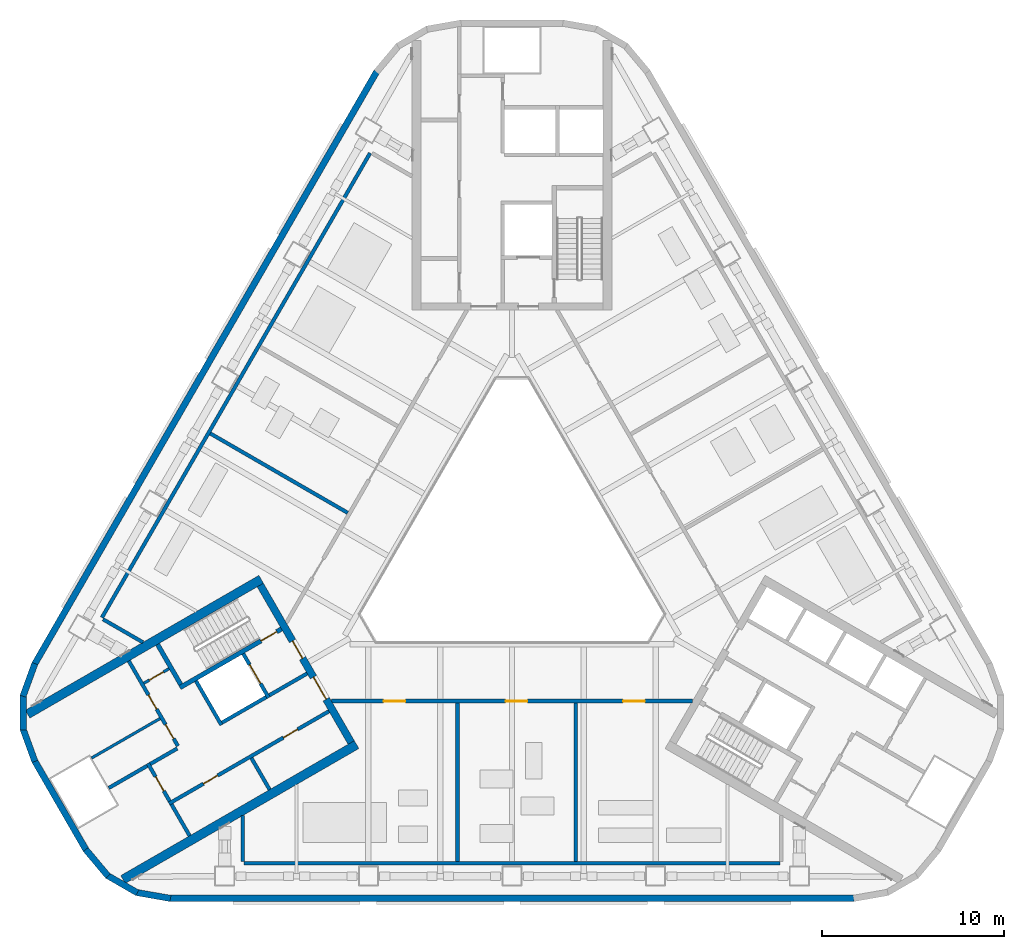
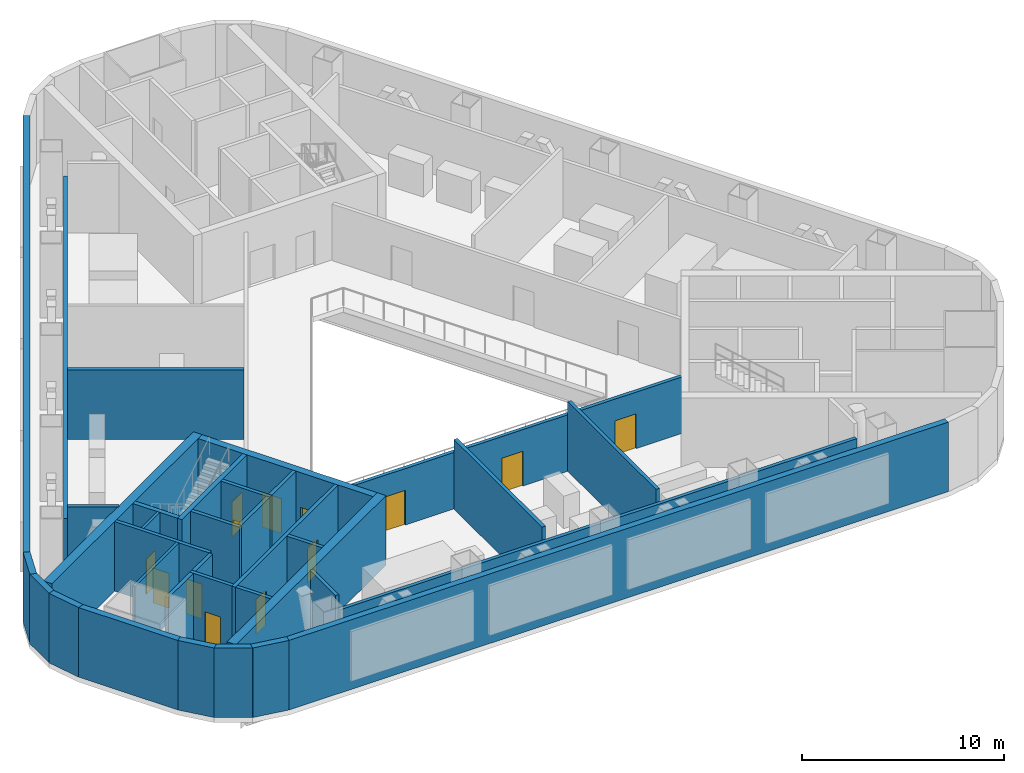
# One storey, part 7 of 15: 35 walls, 13 doors, 13 openings.
"""IFC4 building model written with IfcOpenShell, lengths in metres."""

import ifcopenshell
import ifcopenshell.guid

model = None  # the IFC model being written
_history = None  # IfcOwnerHistory: only IFC2X3 demands one
_inside = {}  # id of a spatial element -> (the spatial element, [elements in it])
_under = {}  # id of a project, library or spatial element -> (it, [spatial elements below it])
_declared = {}  # id of a project -> (the project, [libraries it declares])
_typed = {}  # id of a type object -> (the type object, [elements of that type])
_made_of = {}  # id of a material, layer set ... -> (it, [elements and type objects made of it])


def new_model(schema):
    """Start an empty IFC model of exactly this schema.

    Asked for "IFC4X3", IfcOpenShell would pick the latest addendum, in which some entities
    have other attributes; the version numbers below select the first issue.
    IFC2X3 requires an IfcOwnerHistory on every rooted entity: one is made here for all.
    """
    global model, _history
    if schema == "IFC4X3":
        model = ifcopenshell.file(schema_version=(4, 3, 0, 0))
    else:
        model = ifcopenshell.file(schema=schema)
    _inside.clear()
    _under.clear()
    _declared.clear()
    _typed.clear()
    _made_of.clear()
    _history = None
    if model.schema == "IFC2X3":
        org = make("IfcOrganization", Name="unknown")
        user = make(
            "IfcPersonAndOrganization",
            ThePerson=make("IfcPerson", FamilyName="unknown"),
            TheOrganization=org,
        )
        app = make(
            "IfcApplication",
            ApplicationDeveloper=org,
            Version="unknown",
            ApplicationFullName="unknown",
            ApplicationIdentifier="unknown",
        )
        _history = make(
            "IfcOwnerHistory",
            OwningUser=user,
            OwningApplication=app,
            ChangeAction="ADDED",
            CreationDate=0,
        )
    return model


def make(cls, **values):
    """One entity of the class cls with the attributes given. An attribute that is None is left unset."""
    return model.create_entity(
        cls, **{name: value for name, value in values.items() if value is not None}
    )


def rooted(cls, **values):
    """An entity with a GlobalId (a new one), such as an element, a storey or a relation."""
    return make(cls, GlobalId=ifcopenshell.guid.new(), OwnerHistory=_history, **values)


def si_unit(unit_type, name, prefix=None):
    """IfcSIUnit, for example si_unit("LENGTHUNIT", "METRE", prefix="MILLI")."""
    return make("IfcSIUnit", UnitType=unit_type, Prefix=prefix, Name=name)


def assignment(units):
    """IfcUnitAssignment: the units of a project."""
    return None if units is None else make("IfcUnitAssignment", Units=units)


def point(xyz):
    """IfcCartesianPoint."""
    return None if xyz is None else make("IfcCartesianPoint", Coordinates=xyz)


def direction(xyz):
    """IfcDirection."""
    return None if xyz is None else make("IfcDirection", DirectionRatios=xyz)


def frame(location, z_axis=None, x_axis=None):
    """IfcAxis2Placement3D, a coordinate frame: its origin and axes. An axis left out is left unset."""
    return make(
        "IfcAxis2Placement3D",
        Location=point(location),
        Axis=direction(z_axis),
        RefDirection=direction(x_axis),
    )


def frame_2d(location, x_axis=None):
    """IfcAxis2Placement2D, a coordinate frame in the plane: its origin and x axis."""
    return make(
        "IfcAxis2Placement2D", Location=point(location), RefDirection=direction(x_axis)
    )


def origin():
    """The frame at (0, 0, 0) with its axes left unset."""
    return frame((0.0, 0.0, 0.0))


def place(relative_to, where):
    """IfcLocalPlacement: puts the frame where relative to a parent placement (None: the world)."""
    return make(
        "IfcLocalPlacement", PlacementRelTo=relative_to, RelativePlacement=where
    )


def context(
    kind, dimensions, precision=None, world=None, true_north=None, identifier=None
):
    """IfcGeometricRepresentationContext, for example the 3D "Model" context."""
    return make(
        "IfcGeometricRepresentationContext",
        ContextIdentifier=identifier,
        ContextType=kind,
        CoordinateSpaceDimension=dimensions,
        Precision=precision,
        WorldCoordinateSystem=world,
        TrueNorth=true_north,
    )


def subcontext(parent, identifier, kind, view, scale=None):
    """IfcGeometricRepresentationSubContext, for example "Body" below "Model"."""
    return make(
        "IfcGeometricRepresentationSubContext",
        ContextIdentifier=identifier,
        ContextType=kind,
        ParentContext=parent,
        TargetScale=scale,
        TargetView=view,
    )


def project(units=None, contexts=None):
    """IfcProject with its units and contexts."""
    return rooted(
        "IfcProject",
        Name="project",
        RepresentationContexts=contexts,
        UnitsInContext=assignment(units),
    )


def spatial(cls, under=None, at=None, **own):
    """A site, building, storey or space (cls), placed at a placement, below another one or the project."""
    s = rooted(cls, ObjectPlacement=at, **own)
    if under is not None:
        _under.setdefault(under.id(), (under, []))[1].append(s)
    return s


def profile(cls, at=None, kind="AREA", **sizes):
    """A parametric profile (cls). Its sizes go by their IFC names, for example OverallWidth=200.0."""
    return make(cls, ProfileType=kind, Position=at, **sizes)


def rectangle(**sizes):
    """IfcRectangleProfileDef."""
    return profile("IfcRectangleProfileDef", **sizes)


def extrude(swept, where, along, depth):
    """IfcExtrudedAreaSolid: the profile swept, set in the frame where, extruded along a direction by depth."""
    return make(
        "IfcExtrudedAreaSolid",
        SweptArea=swept,
        Position=where,
        ExtrudedDirection=direction(along),
        Depth=depth,
    )


def shape(context_of_items, identifier, shape_type, items):
    """IfcShapeRepresentation: the items that make up one representation, for example the "Body"."""
    return make(
        "IfcShapeRepresentation",
        ContextOfItems=context_of_items,
        RepresentationIdentifier=identifier,
        RepresentationType=shape_type,
        Items=items,
    )


def material(Name=None, Category=None):
    """IfcMaterial."""
    return make("IfcMaterial", Name=Name, Category=Category)


def layer(
    of_material, thickness, ventilated=None, Name=None, Category=None, Priority=None
):
    """IfcMaterialLayer: one layer of a wall or slab, of a material (None: an air gap)."""
    return make(
        "IfcMaterialLayer",
        Material=of_material,
        LayerThickness=thickness,
        IsVentilated=ventilated,
        Name=Name,
        Category=Category,
        Priority=Priority,
    )


def layer_set(layers, Name=None):
    """IfcMaterialLayerSet."""
    return make("IfcMaterialLayerSet", MaterialLayers=layers, LayerSetName=Name)


def made_of(thing, what):
    """Note that an element or type object is made of a material, layer set ...; save() writes the relation."""
    if what is not None:
        _made_of.setdefault(what.id(), (what, []))[1].append(thing)
    return thing


def type_object(cls, material=None, **own):
    """A type object (cls), such as IfcWallType, which elements share."""
    return made_of(rooted(cls, **own), material)


def element(
    cls,
    number,
    at=None,
    inside=None,
    cuts=None,
    type_object=None,
    material=None,
    context=None,
    identifier="Body",
    shape_type=None,
    held_by="IfcProductDefinitionShape",
    body=None,
    shapes=None,
    **own,
):
    """One element of the class cls, such as IfcWall. Its Tag is "e" and its number.

    at: its placement. inside: the storey or other place that contains it. cuts: it is an
    opening in that element (IfcRelVoidsElement). A single representation is given by context,
    identifier, shape_type and body (its items); several are given by shapes. held_by: the class
    of the entity that holds the representations. save() writes the other relations.
    """
    e = rooted(cls, Tag="e%d" % number, ObjectPlacement=at, **own)
    if body is not None:
        shapes = [shape(context, identifier, shape_type, body)]
    if shapes is not None:
        e.Representation = make(held_by, Representations=shapes)
    if inside is not None:
        _inside.setdefault(inside.id(), (inside, []))[1].append(e)
    if cuts is not None:
        rooted(
            "IfcRelVoidsElement", RelatingBuildingElement=cuts, RelatedOpeningElement=e
        )
    if type_object is not None:
        _typed.setdefault(type_object.id(), (type_object, []))[1].append(e)
    return made_of(e, material)


def fill(opening, filler):
    """IfcRelFillsElement: the door or window that sits in an opening."""
    return rooted(
        "IfcRelFillsElement",
        RelatingOpeningElement=opening,
        RelatedBuildingElement=filler,
    )


def aggregate(whole, parts):
    """IfcRelAggregates: a whole, such as a stair, and the parts it consists of."""
    return rooted("IfcRelAggregates", RelatingObject=whole, RelatedObjects=parts)


def save(model, path):
    """Write the relations noted so far, then the file.

    IfcRelAggregates (storeys below a building ...), IfcRelContainedInSpatialStructure (elements
    in a storey), IfcRelDefinesByType, IfcRelAssociatesMaterial and IfcRelDeclares: one each for
    every whole, place, type object, material and project.
    """
    for whole, parts in _under.values():
        aggregate(whole, parts)
    for where, things in _inside.values():
        rooted(
            "IfcRelContainedInSpatialStructure",
            RelatedElements=things,
            RelatingStructure=where,
        )
    for kind, things in _typed.values():
        rooted("IfcRelDefinesByType", RelatedObjects=things, RelatingType=kind)
    for what, things in _made_of.values():
        rooted("IfcRelAssociatesMaterial", RelatedObjects=things, RelatingMaterial=what)
    for by, libraries in _declared.values():
        rooted("IfcRelDeclares", RelatingContext=by, RelatedDefinitions=libraries)
    model.write(path)


model = new_model("IFC4")

# Units and contexts
model_context = context("Model", 3, precision=1e-05, world=origin(), true_north=direction((0.0, 1.0)))
body_context = subcontext(model_context, "Body", "Model", "MODEL_VIEW")
ifc_project = project(units=[si_unit("LENGTHUNIT", "METRE"), si_unit("AREAUNIT", "SQUARE_METRE"), si_unit("VOLUMEUNIT", "CUBIC_METRE"), si_unit("PLANEANGLEUNIT", "RADIAN"), si_unit("MASSUNIT", "GRAM", prefix="KILO")], contexts=[model_context])

# Site, building, storey
site_placement = place(None, origin())
site = spatial("IfcSite", under=ifc_project, at=site_placement, CompositionType="ELEMENT")
building_placement = place(site_placement, origin())
building = spatial("IfcBuilding", under=site, at=building_placement, Name="Apuvela Tower Hotel", CompositionType="ELEMENT")
storey_placement = place(building_placement, frame((0.0, 0.0, 37.5)))
storey = spatial("IfcBuildingStorey", under=building, at=storey_placement, Name="L06 Plant", CompositionType="ELEMENT", Elevation=37.5)

# Wall, openings, doors
ifc_material_1 = material(Name="Concrete C50/60", Category="concrete")
ifc_layer_1 = layer(ifc_material_1, 0.39990234375)
ifc_layer_set_1 = layer_set([ifc_layer_1], Name="COR-WALL-CORE-400")
wall_type_1 = type_object("IfcWallType", Name="COR-WALL-CORE-400", PredefinedType="SHEAR", material=ifc_layer_set_1)
wall_1_placement = place(storey_placement, frame((-13.844970703125, -2.219970703125, 0.0), z_axis=(0.0, 0.0, 1.0), x_axis=(0.500004234368, -0.866022959057, 0.0)))
wall_1 = element("IfcWall", 1, at=wall_1_placement, inside=storey, type_object=wall_type_1, Name="Core wall SW", PredefinedType="SHEAR", context=body_context, shape_type="SweptSolid", body=[
    extrude(rectangle(XDim=10.0, YDim=0.39990234375, at=frame_2d((5.0, 0.0))), origin(), (0.0, 0.0, 1.0), 4.199951171875),
])
opening_1_placement = place(wall_1_placement, frame((3.550048828125, 0.0, 0.0)))
opening_1 = element("IfcOpeningElement", 2, at=opening_1_placement, cuts=wall_1, Name="Opening W-FD", PredefinedType="OPENING", context=body_context, shape_type="SweptSolid", body=[
    extrude(rectangle(XDim=1.10009765625, YDim=2.10009765625, at=frame_2d((0.550048828125, 1.050048828125))), frame((0.0, 0.2099609375, 0.0), z_axis=(0.0, -1.0, 0.0), x_axis=(1.0, 0.0, 0.0)), (0.0, 0.0, 1.0), 0.419921875),
])
opening_2_placement = place(wall_1_placement, frame((5.85009765625, 0.0, 0.0)))
opening_2 = element("IfcOpeningElement", 3, at=opening_2_placement, cuts=wall_1, Name="Opening W-GD", PredefinedType="OPENING", context=body_context, shape_type="SweptSolid", body=[
    extrude(rectangle(XDim=1.39990234375, YDim=2.10009765625, at=frame_2d((0.699951171875, 1.050048828125))), frame((0.0, 0.2099609375, 0.0), z_axis=(0.0, -1.0, 0.0), x_axis=(1.0, 0.0, 0.0)), (0.0, 0.0, 1.0), 0.419921875),
])
ifc_material_2 = material(Name="Steel fire door, powder coated", Category="steel")
door_type_1 = type_object("IfcDoorType", Name="COR-FD-1100", OperationType="NOTDEFINED", PredefinedType="DOOR", material=ifc_material_2)
door_1_placement = place(opening_1_placement, frame((1.10009765625, 0.0, 0.0), z_axis=(0.0, 0.0, 1.0), x_axis=(-1.0, 0.0, 0.0)))
door_1 = element("IfcDoor", 4, at=door_1_placement, inside=storey, type_object=door_type_1, Name="Firefighting lobby door W-FD", OperationType="SINGLE_SWING_LEFT", OverallHeight=2.10009765625, OverallWidth=1.10009765625, PredefinedType="DOOR", context=body_context, shape_type="SweptSolid", body=[
    extrude(rectangle(XDim=1.10009765625, YDim=2.10009765625, at=frame_2d((0.550048828125, 1.050048828125))), frame((0.0, 0.02490234375, 0.0), z_axis=(0.0, -1.0, 0.0), x_axis=(1.0, 0.0, 0.0)), (0.0, 0.0, 1.0), 0.050048828125),
])
fill(opening_1, door_1)
ifc_material_3 = material(Name="Glazed steel fire door", Category="steel")
door_type_2 = type_object("IfcDoorType", Name="COR-GD-1400", OperationType="DOUBLE_DOOR_SINGLE_SWING", PredefinedType="DOOR", material=ifc_material_3)
door_2_placement = place(opening_2_placement, frame((1.39990234375, 0.0, 0.0), z_axis=(0.0, 0.0, 1.0), x_axis=(-1.0, 0.0, 0.0)))
door_2 = element("IfcDoor", 5, at=door_2_placement, inside=storey, type_object=door_type_2, Name="Lift lobby door W-GD", OperationType="DOUBLE_DOOR_SINGLE_SWING", OverallHeight=2.10009765625, OverallWidth=1.39990234375, PredefinedType="DOOR", context=body_context, shape_type="SweptSolid", body=[
    extrude(rectangle(XDim=1.39990234375, YDim=2.10009765625, at=frame_2d((0.699951171875, 1.050048828125))), frame((0.0, 0.02490234375, 0.0), z_axis=(0.0, -1.0, 0.0), x_axis=(1.0, 0.0, 0.0)), (0.0, 0.0, 1.0), 0.050048828125),
])
fill(opening_2, door_2)

# Walls
ifc_layer_2 = layer(ifc_material_1, 0.5)
ifc_layer_set_2 = layer_set([ifc_layer_2], Name="COR-WALL-CORE-500")
wall_type_2 = type_object("IfcWallType", Name="COR-WALL-CORE-500", PredefinedType="SHEAR", material=ifc_layer_set_2)
for number, where, z_axis, x_axis, name in (
    (6, (-13.796630859375, -1.9033203125, 0.0), (0.0, 0.0, 1.0), (-0.866025009528, -0.500000682871, 0.0), "Core wall SW"),
    (7, (-8.546630859375, -10.99658203125, 0.0), (0.0, 0.0, 1.0), (-0.866025009528, -0.500000682871, 0.0), "Core wall SW"),
):
    element("IfcWall", number, at=place(storey_placement, frame(where, z_axis=z_axis, x_axis=x_axis)), inside=storey, type_object=wall_type_2, Name=name, PredefinedType="SHEAR", context=body_context, shape_type="SweptSolid", body=[
        extrude(rectangle(XDim=14.8369140625, YDim=0.5, at=frame_2d((7.41845703125, 0.0))), origin(), (0.0, 0.0, 1.0), 4.199951171875),
    ])

# Wall, opening, door
ifc_material_4 = material(Name="Blockwork 150 mm plastered", Category="masonry")
ifc_layer_3 = layer(ifc_material_4, 0.14990234375)
ifc_layer_set_3 = layer_set([ifc_layer_3], Name="COR-WALL-PART-150")
wall_type_3 = type_object("IfcWallType", Name="COR-WALL-PART-150", PredefinedType="PARTITIONING", material=ifc_layer_set_3)
wall_2_placement = place(storey_placement, frame((-18.866455078125, -6.822265625, 0.0), z_axis=(0.0, 0.0, 1.0), x_axis=(-0.866028054938, -0.499995408039, 0.0)))
wall_2 = element("IfcWall", 8, at=wall_2_placement, inside=storey, type_object=wall_type_3, Name="Partition SW", PredefinedType="PARTITIONING", context=body_context, shape_type="SweptSolid", body=[
    extrude(rectangle(XDim=1.60009765625, YDim=0.14990234375, at=frame_2d((0.800048828125, 0.0))), origin(), (0.0, 0.0, 1.0), 4.199951171875),
])
opening_3_placement = place(wall_2_placement, frame((0.35009765625, 0.0, 0.0)))
opening_3 = element("IfcOpeningElement", 9, at=opening_3_placement, cuts=wall_2, Name="Opening W-RD", PredefinedType="OPENING", context=body_context, shape_type="SweptSolid", body=[
    extrude(rectangle(XDim=0.89990234375, YDim=2.10009765625, at=frame_2d((0.449951171875, 1.050048828125))), frame((0.0, 0.0849609375, 0.0), z_axis=(0.0, -1.0, 0.0), x_axis=(1.0, 0.0, 0.0)), (0.0, 0.0, 1.0), 0.169921875),
])
ifc_material_5 = material(Name="Steel access door, powder coated", Category="steel")
door_type_3 = type_object("IfcDoorType", Name="COR-RD-900", OperationType="NOTDEFINED", PredefinedType="DOOR", material=ifc_material_5)
door_3_placement = place(opening_3_placement, frame((0.89990234375, 0.0, 0.0), z_axis=(0.0, 0.0, 1.0), x_axis=(-1.0, 0.0, 0.0)))
door_3 = element("IfcDoor", 10, at=door_3_placement, inside=storey, type_object=door_type_3, Name="Riser door W-RD", OperationType="SINGLE_SWING_RIGHT", OverallHeight=2.10009765625, OverallWidth=0.89990234375, PredefinedType="DOOR", context=body_context, shape_type="SweptSolid", body=[
    extrude(rectangle(XDim=0.89990234375, YDim=2.10009765625, at=frame_2d((0.449951171875, 1.050048828125))), frame((0.0, 0.02490234375, 0.0), z_axis=(0.0, -1.0, 0.0), x_axis=(1.0, 0.0, 0.0)), (0.0, 0.0, 1.0), 0.050048828125),
])
fill(opening_3, door_3)

# Wall
wall_3_placement = place(storey_placement, frame((-19.36279296875, -9.5625, 0.0), z_axis=(0.0, 0.0, 1.0), x_axis=(-0.866027639635, -0.499996127374, 0.0)))
element("IfcWall", 11, at=wall_3_placement, inside=storey, type_object=wall_type_3, Name="Partition SW", PredefinedType="PARTITIONING", context=body_context, shape_type="SweptSolid", body=[
    extrude(rectangle(XDim=4.35009765625, YDim=0.14990234375, at=frame_2d((2.175048828125, 0.0))), origin(), (0.0, 0.0, 1.0), 4.199951171875),
])

# Wall, openings, doors
ifc_material_6 = material(Name="Blockwork 200 mm plastered", Category="masonry")
ifc_layer_4 = layer(ifc_material_6, 0.199951171875)
ifc_layer_set_4 = layer_set([ifc_layer_4], Name="COR-WALL-PART-200")
wall_type_4 = type_object("IfcWallType", Name="COR-WALL-PART-200", PredefinedType="PARTITIONING", material=ifc_layer_set_4)
wall_4_placement = place(storey_placement, frame((-21.076171875, -6.39501953125, 0.0), z_axis=(0.0, 0.0, 1.0), x_axis=(0.50001468107, -0.866016927499, 0.0)))
wall_4 = element("IfcWall", 12, at=wall_4_placement, inside=storey, type_object=wall_type_4, Name="Partition SW", PredefinedType="PARTITIONING", context=body_context, shape_type="SweptSolid", body=[
    extrude(rectangle(XDim=5.399658203125, YDim=0.199951171875, at=frame_2d((2.69970703125, 0.0))), origin(), (0.0, 0.0, 1.0), 4.199951171875),
])
opening_4_placement = place(wall_4_placement, frame((2.16259765625, 0.0, 0.0)))
opening_4 = element("IfcOpeningElement", 13, at=opening_4_placement, cuts=wall_4, Name="Opening W-RS1", PredefinedType="OPENING", context=body_context, shape_type="SweptSolid", body=[
    extrude(rectangle(XDim=0.89990234375, YDim=2.10009765625, at=frame_2d((0.449951171875, 1.050048828125))), frame((0.0, 0.10986328125, 0.0), z_axis=(0.0, -1.0, 0.0), x_axis=(1.0, 0.0, 0.0)), (0.0, 0.0, 1.0), 0.219970703125),
])
opening_5_placement = place(wall_4_placement, frame((4.03759765625, 0.0, 0.0)))
opening_5 = element("IfcOpeningElement", 14, at=opening_5_placement, cuts=wall_4, Name="Opening W-RS2", PredefinedType="OPENING", context=body_context, shape_type="SweptSolid", body=[
    extrude(rectangle(XDim=0.89990234375, YDim=2.10009765625, at=frame_2d((0.449951171875, 1.050048828125))), frame((0.0, 0.10986328125, 0.0), z_axis=(0.0, -1.0, 0.0), x_axis=(1.0, 0.0, 0.0)), (0.0, 0.0, 1.0), 0.219970703125),
])
door_type_4 = type_object("IfcDoorType", Name="COR-DR-900", OperationType="NOTDEFINED", PredefinedType="DOOR", material=ifc_material_2)
door_4_placement = place(opening_4_placement, frame((0.89990234375, 0.0, 0.0), z_axis=(0.0, 0.0, 1.0), x_axis=(-1.0, 0.0, 0.0)))
door_4 = element("IfcDoor", 15, at=door_4_placement, inside=storey, type_object=door_type_4, Name="Store door W-RS1", OperationType="SINGLE_SWING_LEFT", OverallHeight=2.10009765625, OverallWidth=0.89990234375, PredefinedType="DOOR", context=body_context, shape_type="SweptSolid", body=[
    extrude(rectangle(XDim=0.89990234375, YDim=2.10009765625, at=frame_2d((0.449951171875, 1.050048828125))), frame((0.0, 0.02490234375, 0.0), z_axis=(0.0, -1.0, 0.0), x_axis=(1.0, 0.0, 0.0)), (0.0, 0.0, 1.0), 0.050048828125),
])
fill(opening_4, door_4)
door_5_placement = place(opening_5_placement, frame((0.89990234375, 0.0, 0.0), z_axis=(0.0, 0.0, 1.0), x_axis=(-1.0, 0.0, 0.0)))
door_5 = element("IfcDoor", 16, at=door_5_placement, inside=storey, type_object=door_type_4, Name="Store door W-RS2", OperationType="SINGLE_SWING_LEFT", OverallHeight=2.10009765625, OverallWidth=0.89990234375, PredefinedType="DOOR", context=body_context, shape_type="SweptSolid", body=[
    extrude(rectangle(XDim=0.89990234375, YDim=2.10009765625, at=frame_2d((0.449951171875, 1.050048828125))), frame((0.0, 0.02490234375, 0.0), z_axis=(0.0, -1.0, 0.0), x_axis=(1.0, 0.0, 0.0)), (0.0, 0.0, 1.0), 0.050048828125),
])
fill(opening_5, door_5)

# Wall
ifc_layer_5 = layer(ifc_material_1, 0.199951171875)
ifc_layer_set_5 = layer_set([ifc_layer_5], Name="COR-WALL-SHAFT-200")
wall_type_5 = type_object("IfcWallType", Name="COR-WALL-SHAFT-200", PredefinedType="SHEAR", material=ifc_layer_set_5)
wall_5_placement = place(storey_placement, frame((-17.38134765625, -7.49462890625, 0.0), z_axis=(0.0, 0.0, 1.0), x_axis=(0.500011755427, -0.866018616679, 0.0)))
element("IfcWall", 17, at=wall_5_placement, inside=storey, type_object=wall_type_5, Name="Shaft wall SW", PredefinedType="SHEAR", context=body_context, shape_type="SweptSolid", body=[
    extrude(rectangle(XDim=2.80029296875, YDim=0.199951171875, at=frame_2d((1.400146484375, 0.0))), origin(), (0.0, 0.0, 1.0), 4.199951171875),
])

# Wall, opening, door
wall_6_placement = place(storey_placement, frame((-14.783203125, -5.99462890625, 0.0), z_axis=(0.0, 0.0, 1.0), x_axis=(0.49994636267, -0.866056369097, 0.0)))
wall_6 = element("IfcWall", 18, at=wall_6_placement, inside=storey, type_object=wall_type_5, Name="Shaft wall SW", PredefinedType="SHEAR", context=body_context, shape_type="SweptSolid", body=[
    extrude(rectangle(XDim=2.800048828125, YDim=0.199951171875, at=frame_2d((1.39990234375, 0.0))), origin(), (0.0, 0.0, 1.0), 4.199951171875),
])
opening_6_placement = place(wall_6_placement, frame((0.699951171875, 0.0, 0.0)))
opening_6 = element("IfcOpeningElement", 19, at=opening_6_placement, cuts=wall_6, Name="Opening W-LD-FS2", PredefinedType="OPENING", context=body_context, shape_type="SweptSolid", body=[
    extrude(rectangle(XDim=1.199951171875, YDim=2.10009765625, at=frame_2d((0.60009765625, 1.050048828125))), frame((0.0, 0.10986328125, 0.0), z_axis=(0.0, -1.0, 0.0), x_axis=(1.0, 0.0, 0.0)), (0.0, 0.0, 1.0), 0.219970703125),
])
ifc_material_7 = material(Name="Stainless steel lift landing door", Category="steel")
door_type_5 = type_object("IfcDoorType", Name="COR-LD-1200", OperationType="DOUBLE_DOOR_SLIDING", PredefinedType="DOOR", material=ifc_material_7)
door_6_placement = place(opening_6_placement, origin())
door_6 = element("IfcDoor", 20, at=door_6_placement, inside=storey, type_object=door_type_5, Name="Lift landing door W-LD-FS2", OperationType="DOUBLE_DOOR_SLIDING", OverallHeight=2.10009765625, OverallWidth=1.199951171875, PredefinedType="DOOR", context=body_context, shape_type="SweptSolid", body=[
    extrude(rectangle(XDim=1.199951171875, YDim=2.10009765625, at=frame_2d((0.60009765625, 1.050048828125))), frame((0.0, 0.02490234375, 0.0), z_axis=(0.0, -1.0, 0.0), x_axis=(1.0, 0.0, 0.0)), (0.0, 0.0, 1.0), 0.050048828125),
])
fill(opening_6, door_6)

# Walls
wall_7_placement = place(storey_placement, frame((-13.519775390625, -8.383056640625, 0.0), z_axis=(0.0, 0.0, 1.0), x_axis=(-0.866034573852, -0.49998411664, 0.0)))
element("IfcWall", 21, at=wall_7_placement, inside=storey, type_object=wall_type_5, Name="Shaft wall SW", PredefinedType="SHEAR", context=body_context, shape_type="SweptSolid", body=[
    extrude(rectangle(XDim=2.7998046875, YDim=0.199951171875, at=frame_2d((1.39990234375, 0.0))), origin(), (0.0, 0.0, 1.0), 4.199951171875),
])
wall_8_placement = place(storey_placement, frame((-11.26806640625, -7.0830078125, 0.0), z_axis=(0.0, 0.0, 1.0), x_axis=(-0.866050077142, -0.499957262057, 0.0)))
element("IfcWall", 22, at=wall_8_placement, inside=storey, type_object=wall_type_5, Name="Shaft wall SW", PredefinedType="SHEAR", context=body_context, shape_type="SweptSolid", body=[
    extrude(rectangle(XDim=2.400146484375, YDim=0.199951171875, at=frame_2d((1.2001953125, 0.0))), origin(), (0.0, 0.0, 1.0), 4.199951171875),
])

# Wall, openings, doors
wall_9_placement = place(storey_placement, frame((-10.068115234375, -9.16162109375, 0.0), z_axis=(0.0, 0.0, 1.0), x_axis=(-0.866032725843, -0.499987317609, 0.0)))
wall_9 = element("IfcWall", 23, at=wall_9_placement, inside=storey, type_object=wall_type_5, Name="Shaft wall SW", PredefinedType="SHEAR", context=body_context, shape_type="SweptSolid", body=[
    extrude(rectangle(XDim=10.159912109375, YDim=0.199951171875, at=frame_2d((5.080078125, 0.0))), origin(), (0.0, 0.0, 1.0), 4.199951171875),
])
opening_7_placement = place(wall_9_placement, frame((1.989990234375, 0.0, 0.0)))
opening_7 = element("IfcOpeningElement", 24, at=opening_7_placement, cuts=wall_9, Name="Opening W-RE1", PredefinedType="OPENING", context=body_context, shape_type="SweptSolid", body=[
    extrude(rectangle(XDim=0.89990234375, YDim=2.10009765625, at=frame_2d((0.449951171875, 1.050048828125))), frame((0.0, 0.10986328125, 0.0), z_axis=(0.0, -1.0, 0.0), x_axis=(1.0, 0.0, 0.0)), (0.0, 0.0, 1.0), 0.219970703125),
])
opening_8_placement = place(wall_9_placement, frame((7.070068359375, 0.0, 0.0)))
opening_8 = element("IfcOpeningElement", 25, at=opening_8_placement, cuts=wall_9, Name="Opening W-RE3", PredefinedType="OPENING", context=body_context, shape_type="SweptSolid", body=[
    extrude(rectangle(XDim=0.89990234375, YDim=2.10009765625, at=frame_2d((0.449951171875, 1.050048828125))), frame((0.0, 0.10986328125, 0.0), z_axis=(0.0, -1.0, 0.0), x_axis=(1.0, 0.0, 0.0)), (0.0, 0.0, 1.0), 0.219970703125),
])
door_7_placement = place(opening_7_placement, origin())
door_7 = element("IfcDoor", 26, at=door_7_placement, inside=storey, type_object=door_type_4, Name="Store door W-RE1", OperationType="SINGLE_SWING_LEFT", OverallHeight=2.10009765625, OverallWidth=0.89990234375, PredefinedType="DOOR", context=body_context, shape_type="SweptSolid", body=[
    extrude(rectangle(XDim=0.89990234375, YDim=2.10009765625, at=frame_2d((0.449951171875, 1.050048828125))), frame((0.0, 0.02490234375, 0.0), z_axis=(0.0, -1.0, 0.0), x_axis=(1.0, 0.0, 0.0)), (0.0, 0.0, 1.0), 0.050048828125),
])
fill(opening_7, door_7)
door_8_placement = place(opening_8_placement, origin())
door_8 = element("IfcDoor", 27, at=door_8_placement, inside=storey, type_object=door_type_4, Name="Store door W-RE3", OperationType="SINGLE_SWING_LEFT", OverallHeight=2.10009765625, OverallWidth=0.89990234375, PredefinedType="DOOR", context=body_context, shape_type="SweptSolid", body=[
    extrude(rectangle(XDim=0.89990234375, YDim=2.10009765625, at=frame_2d((0.449951171875, 1.050048828125))), frame((0.0, 0.02490234375, 0.0), z_axis=(0.0, -1.0, 0.0), x_axis=(1.0, 0.0, 0.0)), (0.0, 0.0, 1.0), 0.050048828125),
])
fill(opening_8, door_8)

# Wall, opening, door
wall_10_placement = place(storey_placement, frame((-20.030517578125, -12.0263671875, 0.0), z_axis=(0.0, 0.0, 1.0), x_axis=(0.500033551112, -0.866006032174, 0.0)))
wall_10 = element("IfcWall", 28, at=wall_10_placement, inside=storey, type_object=wall_type_5, Name="Shaft wall SW", PredefinedType="SHEAR", context=body_context, shape_type="SweptSolid", body=[
    extrude(rectangle(XDim=2.400146484375, YDim=0.199951171875, at=frame_2d((1.2001953125, 0.0))), origin(), (0.0, 0.0, 1.0), 4.199951171875),
])
opening_9_placement = place(wall_10_placement, frame((0.85009765625, 0.0, 0.0)))
opening_9 = element("IfcOpeningElement", 29, at=opening_9_placement, cuts=wall_10, Name="Opening W-REP", PredefinedType="OPENING", context=body_context, shape_type="SweptSolid", body=[
    extrude(rectangle(XDim=0.89990234375, YDim=2.10009765625, at=frame_2d((0.449951171875, 1.050048828125))), frame((0.0, 0.10986328125, 0.0), z_axis=(0.0, -1.0, 0.0), x_axis=(1.0, 0.0, 0.0)), (0.0, 0.0, 1.0), 0.219970703125),
])
door_9_placement = place(opening_9_placement, frame((0.89990234375, 0.0, 0.0), z_axis=(0.0, 0.0, 1.0), x_axis=(-1.0, 0.0, 0.0)))
door_9 = element("IfcDoor", 30, at=door_9_placement, inside=storey, type_object=door_type_4, Name="Store door W-REP", OperationType="SINGLE_SWING_LEFT", OverallHeight=2.10009765625, OverallWidth=0.89990234375, PredefinedType="DOOR", context=body_context, shape_type="SweptSolid", body=[
    extrude(rectangle(XDim=0.89990234375, YDim=2.10009765625, at=frame_2d((0.449951171875, 1.050048828125))), frame((0.0, 0.02490234375, 0.0), z_axis=(0.0, -1.0, 0.0), x_axis=(1.0, 0.0, 0.0)), (0.0, 0.0, 1.0), 0.050048828125),
])
fill(opening_9, door_9)

# Walls
wall_11_placement = place(storey_placement, frame((-18.412841796875, -11.2080078125, 0.0), z_axis=(0.0, 0.0, 1.0), x_axis=(-0.866038183914, -0.499977863513, 0.0)))
element("IfcWall", 31, at=wall_11_placement, inside=storey, type_object=wall_type_5, Name="Shaft wall SW", PredefinedType="SHEAR", context=body_context, shape_type="SweptSolid", body=[
    extrude(rectangle(XDim=1.7099609375, YDim=0.199951171875, at=frame_2d((0.85498046875, 0.0))), origin(), (0.0, 0.0, 1.0), 4.199951171875),
])
for number, where, z_axis, x_axis, name in (
    (32, (-14.330810546875, -11.738037109375, 0.0), (0.0, 0.0, 1.0), (0.499972520799, -0.866041268327, 0.0), "Shaft wall SW"),
    (33, (-18.73046875, -14.278076171875, 0.0), (0.0, 0.0, 1.0), (0.50002537861, -0.866010750942, 0.0), "Shaft wall SW"),
):
    element("IfcWall", number, at=place(storey_placement, frame(where, z_axis=z_axis, x_axis=x_axis)), inside=storey, type_object=wall_type_5, Name=name, PredefinedType="SHEAR", context=body_context, shape_type="SweptSolid", body=[
        extrude(rectangle(XDim=2.0, YDim=0.199951171875, at=frame_2d((1.0, 0.0))), origin(), (0.0, 0.0, 1.0), 4.199951171875),
    ])
wall_12_placement = place(storey_placement, frame((-20.06689453125, -12.1630859375, 0.0), z_axis=(0.0, 0.0, 1.0), x_axis=(-0.866048967903, -0.499959183527, 0.0)))
element("IfcWall", 34, at=wall_12_placement, inside=storey, type_object=wall_type_5, Name="Shaft wall SW", PredefinedType="SHEAR", context=body_context, shape_type="SweptSolid", body=[
    extrude(rectangle(XDim=2.440185546875, YDim=0.199951171875, at=frame_2d((1.22021484375, 0.0))), origin(), (0.0, 0.0, 1.0), 4.199951171875),
])

# Wall, opening, door
ifc_layer_6 = layer(ifc_material_1, 0.25)
ifc_layer_set_6 = layer_set([ifc_layer_6], Name="COR-WALL-STAIR-250")
wall_type_6 = type_object("IfcWallType", Name="COR-WALL-STAIR-250", PredefinedType="SHEAR", material=ifc_layer_set_6)
wall_13_placement = place(storey_placement, frame((-12.6806640625, -4.636474609375, 0.0), z_axis=(0.0, 0.0, 1.0), x_axis=(-0.866021702275, -0.500006411147, 0.0)))
wall_13 = element("IfcWall", 35, at=wall_13_placement, inside=storey, type_object=wall_type_6, Name="Stair wall SW", PredefinedType="SHEAR", context=body_context, shape_type="SweptSolid", body=[
    extrude(rectangle(XDim=6.4501953125, YDim=0.25, at=frame_2d((3.22509765625, 0.0))), origin(), (0.0, 0.0, 1.0), 4.199951171875),
])
opening_10_placement = place(wall_13_placement, frame((0.300048828125, 0.0, 0.0)))
opening_10 = element("IfcOpeningElement", 36, at=opening_10_placement, cuts=wall_13, Name="Opening W-SD", PredefinedType="OPENING", context=body_context, shape_type="SweptSolid", body=[
    extrude(rectangle(XDim=1.0, YDim=2.10009765625, at=frame_2d((0.5, 1.050048828125))), frame((0.0, 0.135009765625, 0.0), z_axis=(0.0, -1.0, 0.0), x_axis=(1.0, 0.0, 0.0)), (0.0, 0.0, 1.0), 0.27001953125),
])
door_type_6 = type_object("IfcDoorType", Name="COR-SD-1000", OperationType="NOTDEFINED", PredefinedType="DOOR", material=ifc_material_2)
door_10_placement = place(opening_10_placement, frame((1.0, 0.0, 0.0), z_axis=(0.0, 0.0, 1.0), x_axis=(-1.0, 0.0, 0.0)))
door_10 = element("IfcDoor", 37, at=door_10_placement, inside=storey, type_object=door_type_6, Name="Stair door W-SD", OperationType="SINGLE_SWING_LEFT", OverallHeight=2.10009765625, OverallWidth=1.0, PredefinedType="DOOR", context=body_context, shape_type="SweptSolid", body=[
    extrude(rectangle(XDim=1.0, YDim=2.10009765625, at=frame_2d((0.5, 1.050048828125))), frame((0.0, 0.02490234375, 0.0), z_axis=(0.0, -1.0, 0.0), x_axis=(1.0, 0.0, 0.0)), (0.0, 0.0, 1.0), 0.050048828125),
])
fill(opening_10, door_10)

# Walls
wall_14_placement = place(storey_placement, frame((-19.49560546875, -5.482421875, 0.0), z_axis=(0.0, 0.0, 1.0), x_axis=(0.499990435942, -0.866030925526, 0.0)))
element("IfcWall", 38, at=wall_14_placement, inside=storey, type_object=wall_type_6, Name="Stair wall SW", PredefinedType="SHEAR", context=body_context, shape_type="SweptSolid", body=[
    extrude(rectangle(XDim=2.5498046875, YDim=0.25, at=frame_2d((1.27490234375, 0.0))), origin(), (0.0, 0.0, 1.0), 4.199951171875),
])
ifc_material_8 = material(Name="Concrete C40/50, dark pigmented precast panel", Category="concrete")
ifc_layer_7 = layer(ifc_material_8, 0.35009765625)
ifc_layer_set_7 = layer_set([ifc_layer_7], Name="ENV-WALL-350")
wall_type_7 = type_object("IfcWallType", Name="ENV-WALL-350", PredefinedType="SOLIDWALL", material=ifc_layer_set_7)
wall_15_placement = place(storey_placement, frame((-7.440673828125, 26.0224609375, 0.0), z_axis=(0.0, 0.0, 1.0), x_axis=(-0.499998380999, -0.866026338513, 0.0)))
element("IfcWall", 39, at=wall_15_placement, inside=storey, type_object=wall_type_7, Name="External wall L06 Plant-07", PredefinedType="SOLIDWALL", context=body_context, shape_type="SweptSolid", body=[
    extrude(rectangle(XDim=37.63134765625, YDim=0.35009765625, at=frame_2d((18.815673828125, 0.0))), origin(), (0.0, 0.0, 1.0), 4.199951171875),
])
for number, where, z_axis, x_axis, name in (
    (40, (-26.24365234375, -6.539794921875, 0.0), (0.0, 0.0, 1.0), (-0.342030395486, -0.939688889242, 0.0), "External wall L06 Plant-08"),
    (41, (-26.88623046875, -8.27490234375, 0.0), (0.0, 0.0, 1.0), (0.0, -1.0, 0.0), "External wall L06 Plant-09"),
    (42, (-26.89697265625, -10.125244140625, 0.0), (0.0, 0.0, 1.0), (0.342030395486, -0.939688889242, 0.0), "External wall L06 Plant-10"),
):
    element("IfcWall", number, at=place(storey_placement, frame(where, z_axis=z_axis, x_axis=x_axis)), inside=storey, type_object=wall_type_7, Name=name, PredefinedType="SOLIDWALL", context=body_context, shape_type="SweptSolid", body=[
        extrude(rectangle(XDim=1.91015625, YDim=0.35009765625, at=frame_2d((0.955078125, 0.0))), origin(), (0.0, 0.0, 1.0), 4.199951171875),
    ])
wall_16_placement = place(storey_placement, frame((-26.25634765625, -11.892578125, 0.0), z_axis=(0.0, 0.0, 1.0), x_axis=(0.499986410639, -0.866033249463, 0.0)))
element("IfcWall", 43, at=wall_16_placement, inside=storey, type_object=wall_type_7, Name="External wall L06 Plant-11", PredefinedType="SOLIDWALL", context=body_context, shape_type="SweptSolid", body=[
    extrude(rectangle(XDim=5.657958984375, YDim=0.35009765625, at=frame_2d((2.8291015625, 0.0))), origin(), (0.0, 0.0, 1.0), 4.199951171875),
])
for number, where, z_axis, x_axis, name in (
    (44, (-23.44482421875, -16.767578125, 0.0), (0.0, 0.0, 1.0), (0.642808304945, -0.766027077259, 0.0), "External wall L06 Plant-12"),
    (45, (-22.263671875, -18.191650390625, 0.0), (0.0, 0.0, 1.0), (0.866000389056, -0.500043324278, 0.0), "External wall L06 Plant-13"),
):
    element("IfcWall", number, at=place(storey_placement, frame(where, z_axis=z_axis, x_axis=x_axis)), inside=storey, type_object=wall_type_7, Name=name, PredefinedType="SOLIDWALL", context=body_context, shape_type="SweptSolid", body=[
        extrude(rectangle(XDim=1.909912109375, YDim=0.35009765625, at=frame_2d((0.955078125, 0.0))), origin(), (0.0, 0.0, 1.0), 4.199951171875),
    ])
wall_17_placement = place(storey_placement, frame((-20.66650390625, -19.1259765625, 0.0), z_axis=(0.0, 0.0, 1.0), x_axis=(0.984798995425, -0.173697837091, 0.0)))
element("IfcWall", 46, at=wall_17_placement, inside=storey, type_object=wall_type_7, Name="External wall L06 Plant-14", PredefinedType="SOLIDWALL", context=body_context, shape_type="SweptSolid", body=[
    extrude(rectangle(XDim=1.91015625, YDim=0.35009765625, at=frame_2d((0.955078125, 0.0))), origin(), (0.0, 0.0, 1.0), 4.199951171875),
])
wall_18_placement = place(storey_placement, frame((-18.81591796875, -19.455078125, 0.0), z_axis=(0.0, 0.0, 1.0), x_axis=(1.0, 0.0, 0.0)))
element("IfcWall", 47, at=wall_18_placement, inside=storey, type_object=wall_type_7, Name="External wall L06 Plant-15", PredefinedType="SOLIDWALL", context=body_context, shape_type="SweptSolid", body=[
    extrude(rectangle(XDim=37.6318359375, YDim=0.35009765625, at=frame_2d((18.81591796875, 0.0))), origin(), (0.0, 0.0, 1.0), 4.199951171875),
])
ifc_material_9 = material(Name="Reinforced blockwork B15", Category="masonry")
ifc_layer_8 = layer(ifc_material_9, 0.199951171875)
ifc_layer_set_8 = layer_set([ifc_layer_8], Name="SPC-WALL-PLANT")
wall_type_8 = type_object("IfcWallType", Name="SPC-WALL-PLANT", PredefinedType="PARTITIONING", material=ifc_layer_set_8)
wall_19_placement = place(storey_placement, frame((-14.800048828125, -17.429931640625, 0.0), z_axis=(0.0, 0.0, 1.0), x_axis=(0.0, 1.0, 0.0)))
element("IfcWall", 48, at=wall_19_placement, inside=storey, type_object=wall_type_8, Name="Wall L06-S-P03", PredefinedType="PARTITIONING", context=body_context, shape_type="SweptSolid", body=[
    extrude(rectangle(XDim=2.534423828125, YDim=0.199951171875, at=frame_2d((1.26708984375, 0.0))), origin(), (0.0, 0.0, 1.0), 4.199951171875),
])
for number, where, z_axis, x_axis, name in (
    (49, (-3.0, -17.429931640625, 0.0), (0.0, 0.0, 1.0), (0.0, 1.0, 0.0), "Wall L06-S-P04"),
    (50, (3.5, -17.429931640625, 0.0), (0.0, 0.0, 1.0), (0.0, 1.0, 0.0), "Wall L06-S-P05"),
):
    element("IfcWall", number, at=place(storey_placement, frame(where, z_axis=z_axis, x_axis=x_axis)), inside=storey, type_object=wall_type_8, Name=name, PredefinedType="PARTITIONING", context=body_context, shape_type="SweptSolid", body=[
        extrude(rectangle(XDim=8.72998046875, YDim=0.199951171875, at=frame_2d((4.364990234375, 0.0))), origin(), (0.0, 0.0, 1.0), 4.199951171875),
    ])
wall_20_placement = place(storey_placement, frame((-14.75, -17.530029296875, 0.0), z_axis=(0.0, 0.0, 1.0), x_axis=(1.0, 0.0, 0.0)))
element("IfcWall", 51, at=wall_20_placement, inside=storey, type_object=wall_type_8, Name="Wall L06-S-FUR2", PredefinedType="PARTITIONING", context=body_context, shape_type="SweptSolid", body=[
    extrude(rectangle(XDim=29.5, YDim=0.199951171875, at=frame_2d((14.75, 0.0))), origin(), (0.0, 0.0, 1.0), 3.409912109375),
])

# Wall, openings, doors
wall_21_placement = place(storey_placement, frame((-9.930419921875, -8.60009765625, 0.0), z_axis=(0.0, 0.0, 1.0), x_axis=(1.0, 0.0, 0.0)))
wall_21 = element("IfcWall", 52, at=wall_21_placement, inside=storey, type_object=wall_type_8, Name="Wall L06-S-CW", PredefinedType="PARTITIONING", context=body_context, shape_type="SweptSolid", body=[
    extrude(rectangle(XDim=19.86083984375, YDim=0.199951171875, at=frame_2d((9.930419921875, 0.0))), origin(), (0.0, 0.0, 1.0), 3.409912109375),
])
opening_11_placement = place(wall_21_placement, frame((2.87109375, 0.0, 0.0)))
opening_11 = element("IfcOpeningElement", 53, at=opening_11_placement, cuts=wall_21, Name="Opening L06-S07", PredefinedType="OPENING", context=body_context, shape_type="SweptSolid", body=[
    extrude(rectangle(XDim=1.199951171875, YDim=2.10009765625, at=frame_2d((0.60009765625, 1.050048828125))), frame((0.0, 0.10986328125, 0.0), z_axis=(0.0, -1.0, 0.0), x_axis=(1.0, 0.0, 0.0)), (0.0, 0.0, 1.0), 0.219970703125),
])
opening_12_placement = place(wall_21_placement, frame((9.58056640625, 0.0, 0.0)))
opening_12 = element("IfcOpeningElement", 54, at=opening_12_placement, cuts=wall_21, Name="Opening L06-S08", PredefinedType="OPENING", context=body_context, shape_type="SweptSolid", body=[
    extrude(rectangle(XDim=1.199951171875, YDim=2.10009765625, at=frame_2d((0.60009765625, 1.050048828125))), frame((0.0, 0.10986328125, 0.0), z_axis=(0.0, -1.0, 0.0), x_axis=(1.0, 0.0, 0.0)), (0.0, 0.0, 1.0), 0.219970703125),
])
opening_13_placement = place(wall_21_placement, frame((16.0400390625, 0.0, 0.0)))
opening_13 = element("IfcOpeningElement", 55, at=opening_13_placement, cuts=wall_21, Name="Opening L06-S09", PredefinedType="OPENING", context=body_context, shape_type="SweptSolid", body=[
    extrude(rectangle(XDim=1.199951171875, YDim=2.10009765625, at=frame_2d((0.60009765625, 1.050048828125))), frame((0.0, 0.10986328125, 0.0), z_axis=(0.0, -1.0, 0.0), x_axis=(1.0, 0.0, 0.0)), (0.0, 0.0, 1.0), 0.219970703125),
])
ifc_material_10 = material(Name="Steel fire door leaf", Category="steel")
door_type_7 = type_object("IfcDoorType", Name="SPC-DOOR-1200-PLANT", OperationType="NOTDEFINED", PredefinedType="DOOR", material=ifc_material_10)
door_11_placement = place(opening_11_placement, frame((1.199951171875, 0.0, 0.0), z_axis=(0.0, 0.0, 1.0), x_axis=(-1.0, 0.0, 0.0)))
door_11 = element("IfcDoor", 56, at=door_11_placement, inside=storey, type_object=door_type_7, Name="L06-S07", OperationType="SINGLE_SWING_RIGHT", OverallHeight=2.10009765625, OverallWidth=1.199951171875, PredefinedType="DOOR", context=body_context, shape_type="SweptSolid", body=[
    extrude(rectangle(XDim=1.199951171875, YDim=2.10009765625, at=frame_2d((0.60009765625, 1.050048828125))), frame((0.0, 0.02490234375, 0.0), z_axis=(0.0, -1.0, 0.0), x_axis=(1.0, 0.0, 0.0)), (0.0, 0.0, 1.0), 0.050048828125),
])
fill(opening_11, door_11)
door_12_placement = place(opening_12_placement, frame((1.199951171875, 0.0, 0.0), z_axis=(0.0, 0.0, 1.0), x_axis=(-1.0, 0.0, 0.0)))
door_12 = element("IfcDoor", 57, at=door_12_placement, inside=storey, type_object=door_type_7, Name="L06-S08", OperationType="SINGLE_SWING_LEFT", OverallHeight=2.10009765625, OverallWidth=1.199951171875, PredefinedType="DOOR", context=body_context, shape_type="SweptSolid", body=[
    extrude(rectangle(XDim=1.199951171875, YDim=2.10009765625, at=frame_2d((0.60009765625, 1.050048828125))), frame((0.0, 0.02490234375, 0.0), z_axis=(0.0, -1.0, 0.0), x_axis=(1.0, 0.0, 0.0)), (0.0, 0.0, 1.0), 0.050048828125),
])
fill(opening_12, door_12)
door_13_placement = place(opening_13_placement, frame((1.199951171875, 0.0, 0.0), z_axis=(0.0, 0.0, 1.0), x_axis=(-1.0, 0.0, 0.0)))
door_13 = element("IfcDoor", 58, at=door_13_placement, inside=storey, type_object=door_type_7, Name="L06-S09", OperationType="SINGLE_SWING_RIGHT", OverallHeight=2.10009765625, OverallWidth=1.199951171875, PredefinedType="DOOR", context=body_context, shape_type="SweptSolid", body=[
    extrude(rectangle(XDim=1.199951171875, YDim=2.10009765625, at=frame_2d((0.60009765625, 1.050048828125))), frame((0.0, 0.02490234375, 0.0), z_axis=(0.0, -1.0, 0.0), x_axis=(1.0, 0.0, 0.0)), (0.0, 0.0, 1.0), 0.050048828125),
])
fill(opening_13, door_13)

# Walls
wall_22_placement = place(storey_placement, frame((-16.5947265625, 6.116943359375, 0.0), z_axis=(0.0, 0.0, 1.0), x_axis=(0.866023051915, -0.500004073536, 0.0)))
element("IfcWall", 59, at=wall_22_placement, inside=storey, type_object=wall_type_8, Name="Wall L06-NW-P05", PredefinedType="PARTITIONING", context=body_context, shape_type="SweptSolid", body=[
    extrude(rectangle(XDim=8.72998046875, YDim=0.199951171875, at=frame_2d((4.364990234375, 0.0))), origin(), (0.0, 0.0, 1.0), 4.199951171875),
])
wall_23_placement = place(storey_placement, frame((-22.494873046875, -4.102294921875, 0.0), z_axis=(0.0, 0.0, 1.0), x_axis=(0.866065287345, -0.499930913282, 0.0)))
element("IfcWall", 60, at=wall_23_placement, inside=storey, type_object=wall_type_8, Name="Wall L06-NW-P06", PredefinedType="PARTITIONING", context=body_context, shape_type="SweptSolid", body=[
    extrude(rectangle(XDim=2.534423828125, YDim=0.199951171875, at=frame_2d((1.26708984375, 0.0))), origin(), (0.0, 0.0, 1.0), 4.199951171875),
])
wall_24_placement = place(storey_placement, frame((-7.806396484375, 21.538818359375, 0.0), z_axis=(0.0, 0.0, 1.0), x_axis=(-0.500002084189, -0.866024200474, 0.0)))
element("IfcWall", 61, at=wall_24_placement, inside=storey, type_object=wall_type_8, Name="Wall L06-NW-FUR1", PredefinedType="PARTITIONING", context=body_context, shape_type="SweptSolid", body=[
    extrude(rectangle(XDim=29.499755859375, YDim=0.199951171875, at=frame_2d((14.75, 0.0))), origin(), (0.0, 0.0, 1.0), 3.409912109375),
])

save(model, "model.ifc")
